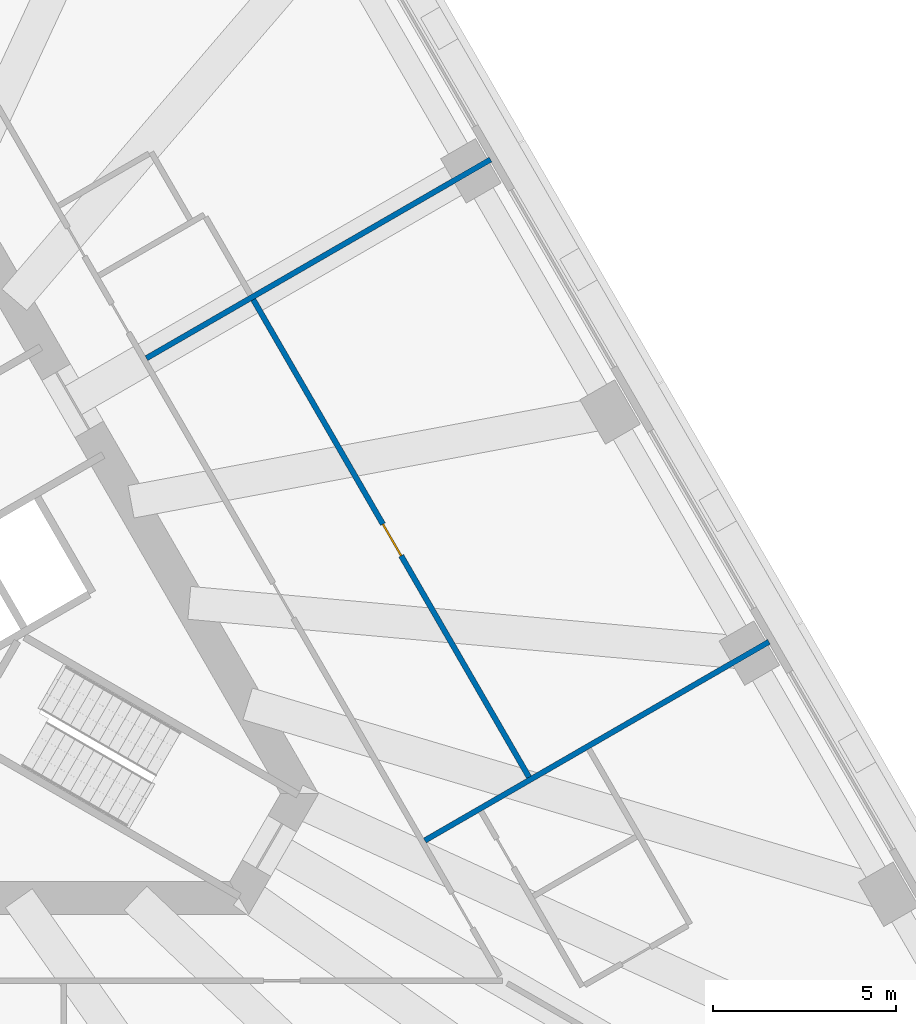
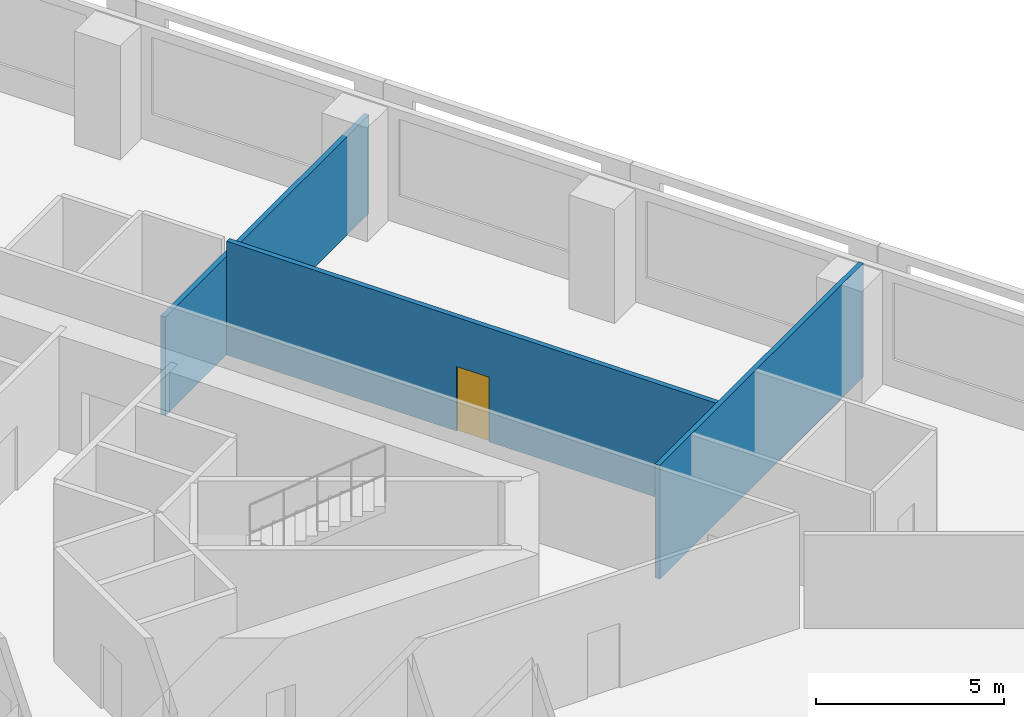
# One storey, part 7 of 11: 3 walls, 1 door, 1 opening.
"""IFC4 building model written with IfcOpenShell, lengths in metres."""

from ifc_helpers import new_model, si_unit, direction, frame, frame_2d, origin, place, context, subcontext, project, spatial, rectangle, extrude, material, layer, layer_set, type_object, element, fill, save


model = new_model("IFC4")

# Units and contexts
model_context = context("Model", 3, precision=1e-05, world=origin(), true_north=direction((0.0, 1.0)))
body_context = subcontext(model_context, "Body", "Model", "MODEL_VIEW")
ifc_project = project(units=[si_unit("LENGTHUNIT", "METRE"), si_unit("AREAUNIT", "SQUARE_METRE"), si_unit("VOLUMEUNIT", "CUBIC_METRE"), si_unit("PLANEANGLEUNIT", "RADIAN"), si_unit("MASSUNIT", "GRAM", prefix="KILO")], contexts=[model_context])

# Site, building, storey
site_placement = place(None, origin())
site = spatial("IfcSite", under=ifc_project, at=site_placement, CompositionType="ELEMENT")
building_placement = place(site_placement, origin())
building = spatial("IfcBuilding", under=site, at=building_placement, Name="Triada Interchange Tower", CompositionType="ELEMENT")
storey_placement = place(building_placement, frame((0.0, 0.0, 35.300048828125)))
storey = spatial("IfcBuildingStorey", under=building, at=storey_placement, Name="L06", CompositionType="ELEMENT", Elevation=35.300048828125)

# Walls
ifc_material_1 = material(Name="Gypsum board partition")
ifc_layer_1 = layer(ifc_material_1, 0.14990234375)
ifc_layer_set_1 = layer_set([ifc_layer_1], Name="PARTITION 150 EI 180")
wall_type_1 = type_object("IfcWallType", Name="PARTITION 150 EI 180", PredefinedType="PARTITIONING", material=ifc_layer_set_1)
wall_1_placement = place(storey_placement, frame((9.85107421875, 5.68701171875, 0.0), z_axis=(0.0, 0.0, 1.0), x_axis=(0.865997012005, 0.50004917278, 0.0)))
element("IfcWall", 1, at=wall_1_placement, inside=storey, type_object=wall_type_1, Name="Wall L06 2", PredefinedType="PARTITIONING", context=body_context, shape_type="SweptSolid", body=[
    extrude(rectangle(XDim=10.84521484375, YDim=0.14990234375, at=frame_2d((5.422607421875, 0.0))), origin(), (0.0, 0.0, 1.0), 3.199951171875),
])
wall_2_placement = place(storey_placement, frame((17.450927734375, -7.47607421875, 0.0), z_axis=(0.0, 0.0, 1.0), x_axis=(0.866002640836, 0.50003942451, 0.0)))
element("IfcWall", 2, at=wall_2_placement, inside=storey, type_object=wall_type_1, Name="Wall L06 32", PredefinedType="PARTITIONING", context=body_context, shape_type="SweptSolid", body=[
    extrude(rectangle(XDim=10.84521484375, YDim=0.14990234375, at=frame_2d((5.422607421875, 0.0))), origin(), (0.0, 0.0, 1.0), 3.699951171875),
])

# Wall, opening, door
ifc_layer_2 = layer(ifc_material_1, 0.14990234375)
ifc_layer_set_2 = layer_set([ifc_layer_2], Name="PARTITION 150 EI 90")
wall_type_2 = type_object("IfcWallType", Name="PARTITION 150 EI 90", PredefinedType="PARTITIONING", material=ifc_layer_set_2)
wall_3_placement = place(storey_placement, frame((12.76806640625, 7.284912109375, 0.0), z_axis=(0.0, 0.0, 1.0), x_axis=(0.500015945769, -0.866016197294, 0.0)))
wall_3 = element("IfcWall", 3, at=wall_3_placement, inside=storey, type_object=wall_type_2, Name="Wall L06 41", PredefinedType="PARTITIONING", context=body_context, shape_type="SweptSolid", body=[
    extrude(rectangle(XDim=15.04931640625, YDim=0.14990234375, at=frame_2d((7.524658203125, 0.0))), origin(), (0.0, 0.0, 1.0), 3.699951171875),
])
opening_placement = place(wall_3_placement, frame((7.073974609375, 0.0, 0.0)))
opening = element("IfcOpeningElement", 4, at=opening_placement, cuts=wall_3, Name="Opening D06-26", PredefinedType="OPENING", context=body_context, shape_type="SweptSolid", body=[
    extrude(rectangle(XDim=1.0, YDim=2.10009765625, at=frame_2d((0.5, 1.050048828125))), frame((0.0, 0.0849609375, 0.0), z_axis=(0.0, -1.0, 0.0), x_axis=(1.0, 0.0, 0.0)), (0.0, 0.0, 1.0), 0.169921875),
])
ifc_material_2 = material(Name="Steel S235 door leaf", Category="steel")
door_type = type_object("IfcDoorType", Name="ROOM DOOR 1000 EI2 45-C5S200", OperationType="NOTDEFINED", PredefinedType="DOOR", material=ifc_material_2)
door_placement = place(opening_placement, origin())
door = element("IfcDoor", 5, at=door_placement, inside=storey, type_object=door_type, Name="Door D06-26 L06", OperationType="SINGLE_SWING_LEFT", OverallHeight=2.10009765625, OverallWidth=1.0, PredefinedType="DOOR", context=body_context, shape_type="SweptSolid", body=[
    extrude(rectangle(XDim=1.0, YDim=2.10009765625, at=frame_2d((0.5, 1.050048828125))), frame((0.0, 0.02490234375, 0.0), z_axis=(0.0, -1.0, 0.0), x_axis=(1.0, 0.0, 0.0)), (0.0, 0.0, 1.0), 0.050048828125),
])
fill(opening, door)

save(model, "model.ifc")
